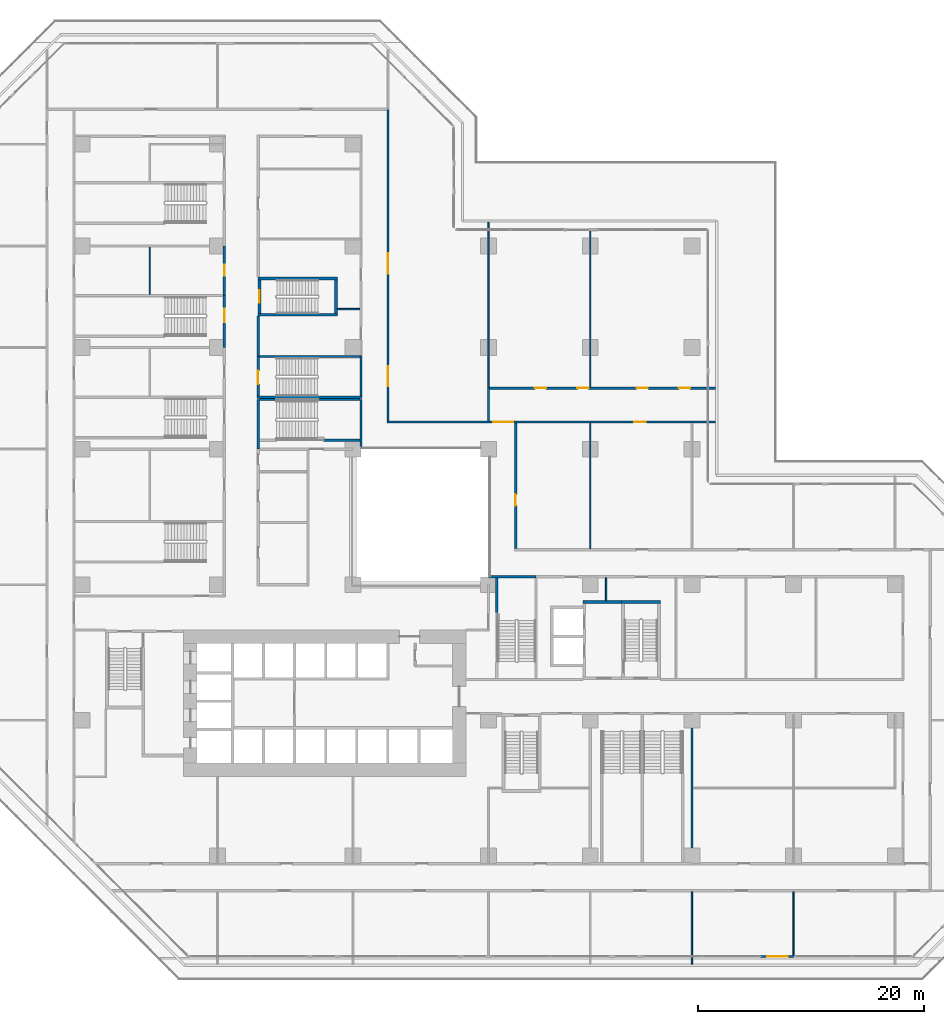
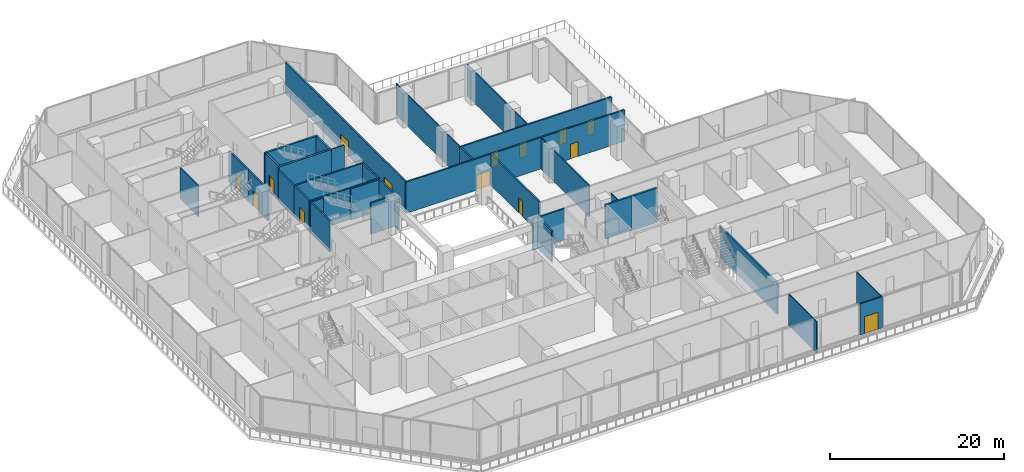
# One storey, part 16 of 26: 35 walls, 14 doors, 14 openings.
"""IFC4 building model written with IfcOpenShell, lengths in metres."""

import ifcopenshell
import ifcopenshell.guid

model = None  # the IFC model being written
_history = None  # IfcOwnerHistory: only IFC2X3 demands one
_inside = {}  # id of a spatial element -> (the spatial element, [elements in it])
_under = {}  # id of a project, library or spatial element -> (it, [spatial elements below it])
_declared = {}  # id of a project -> (the project, [libraries it declares])
_typed = {}  # id of a type object -> (the type object, [elements of that type])
_made_of = {}  # id of a material, layer set ... -> (it, [elements and type objects made of it])


def new_model(schema):
    """Start an empty IFC model of exactly this schema.

    Asked for "IFC4X3", IfcOpenShell would pick the latest addendum, in which some entities
    have other attributes; the version numbers below select the first issue.
    IFC2X3 requires an IfcOwnerHistory on every rooted entity: one is made here for all.
    """
    global model, _history
    if schema == "IFC4X3":
        model = ifcopenshell.file(schema_version=(4, 3, 0, 0))
    else:
        model = ifcopenshell.file(schema=schema)
    _inside.clear()
    _under.clear()
    _declared.clear()
    _typed.clear()
    _made_of.clear()
    _history = None
    if model.schema == "IFC2X3":
        org = make("IfcOrganization", Name="unknown")
        user = make(
            "IfcPersonAndOrganization",
            ThePerson=make("IfcPerson", FamilyName="unknown"),
            TheOrganization=org,
        )
        app = make(
            "IfcApplication",
            ApplicationDeveloper=org,
            Version="unknown",
            ApplicationFullName="unknown",
            ApplicationIdentifier="unknown",
        )
        _history = make(
            "IfcOwnerHistory",
            OwningUser=user,
            OwningApplication=app,
            ChangeAction="ADDED",
            CreationDate=0,
        )
    return model


def make(cls, **values):
    """One entity of the class cls with the attributes given. An attribute that is None is left unset."""
    return model.create_entity(
        cls, **{name: value for name, value in values.items() if value is not None}
    )


def rooted(cls, **values):
    """An entity with a GlobalId (a new one), such as an element, a storey or a relation."""
    return make(cls, GlobalId=ifcopenshell.guid.new(), OwnerHistory=_history, **values)


def si_unit(unit_type, name, prefix=None):
    """IfcSIUnit, for example si_unit("LENGTHUNIT", "METRE", prefix="MILLI")."""
    return make("IfcSIUnit", UnitType=unit_type, Prefix=prefix, Name=name)


def assignment(units):
    """IfcUnitAssignment: the units of a project."""
    return None if units is None else make("IfcUnitAssignment", Units=units)


def point(xyz):
    """IfcCartesianPoint."""
    return None if xyz is None else make("IfcCartesianPoint", Coordinates=xyz)


def direction(xyz):
    """IfcDirection."""
    return None if xyz is None else make("IfcDirection", DirectionRatios=xyz)


def frame(location, z_axis=None, x_axis=None):
    """IfcAxis2Placement3D, a coordinate frame: its origin and axes. An axis left out is left unset."""
    return make(
        "IfcAxis2Placement3D",
        Location=point(location),
        Axis=direction(z_axis),
        RefDirection=direction(x_axis),
    )


def frame_2d(location, x_axis=None):
    """IfcAxis2Placement2D, a coordinate frame in the plane: its origin and x axis."""
    return make(
        "IfcAxis2Placement2D", Location=point(location), RefDirection=direction(x_axis)
    )


def origin():
    """The frame at (0, 0, 0) with its axes left unset."""
    return frame((0.0, 0.0, 0.0))


def place(relative_to, where):
    """IfcLocalPlacement: puts the frame where relative to a parent placement (None: the world)."""
    return make(
        "IfcLocalPlacement", PlacementRelTo=relative_to, RelativePlacement=where
    )


def context(
    kind, dimensions, precision=None, world=None, true_north=None, identifier=None
):
    """IfcGeometricRepresentationContext, for example the 3D "Model" context."""
    return make(
        "IfcGeometricRepresentationContext",
        ContextIdentifier=identifier,
        ContextType=kind,
        CoordinateSpaceDimension=dimensions,
        Precision=precision,
        WorldCoordinateSystem=world,
        TrueNorth=true_north,
    )


def subcontext(parent, identifier, kind, view, scale=None):
    """IfcGeometricRepresentationSubContext, for example "Body" below "Model"."""
    return make(
        "IfcGeometricRepresentationSubContext",
        ContextIdentifier=identifier,
        ContextType=kind,
        ParentContext=parent,
        TargetScale=scale,
        TargetView=view,
    )


def project(units=None, contexts=None):
    """IfcProject with its units and contexts."""
    return rooted(
        "IfcProject",
        Name="project",
        RepresentationContexts=contexts,
        UnitsInContext=assignment(units),
    )


def spatial(cls, under=None, at=None, **own):
    """A site, building, storey or space (cls), placed at a placement, below another one or the project."""
    s = rooted(cls, ObjectPlacement=at, **own)
    if under is not None:
        _under.setdefault(under.id(), (under, []))[1].append(s)
    return s


def profile(cls, at=None, kind="AREA", **sizes):
    """A parametric profile (cls). Its sizes go by their IFC names, for example OverallWidth=200.0."""
    return make(cls, ProfileType=kind, Position=at, **sizes)


def rectangle(**sizes):
    """IfcRectangleProfileDef."""
    return profile("IfcRectangleProfileDef", **sizes)


def extrude(swept, where, along, depth):
    """IfcExtrudedAreaSolid: the profile swept, set in the frame where, extruded along a direction by depth."""
    return make(
        "IfcExtrudedAreaSolid",
        SweptArea=swept,
        Position=where,
        ExtrudedDirection=direction(along),
        Depth=depth,
    )


def shape(context_of_items, identifier, shape_type, items):
    """IfcShapeRepresentation: the items that make up one representation, for example the "Body"."""
    return make(
        "IfcShapeRepresentation",
        ContextOfItems=context_of_items,
        RepresentationIdentifier=identifier,
        RepresentationType=shape_type,
        Items=items,
    )


def material(Name=None, Category=None):
    """IfcMaterial."""
    return make("IfcMaterial", Name=Name, Category=Category)


def layer(
    of_material, thickness, ventilated=None, Name=None, Category=None, Priority=None
):
    """IfcMaterialLayer: one layer of a wall or slab, of a material (None: an air gap)."""
    return make(
        "IfcMaterialLayer",
        Material=of_material,
        LayerThickness=thickness,
        IsVentilated=ventilated,
        Name=Name,
        Category=Category,
        Priority=Priority,
    )


def layer_set(layers, Name=None):
    """IfcMaterialLayerSet."""
    return make("IfcMaterialLayerSet", MaterialLayers=layers, LayerSetName=Name)


def made_of(thing, what):
    """Note that an element or type object is made of a material, layer set ...; save() writes the relation."""
    if what is not None:
        _made_of.setdefault(what.id(), (what, []))[1].append(thing)
    return thing


def type_object(cls, material=None, **own):
    """A type object (cls), such as IfcWallType, which elements share."""
    return made_of(rooted(cls, **own), material)


def element(
    cls,
    number,
    at=None,
    inside=None,
    cuts=None,
    type_object=None,
    material=None,
    context=None,
    identifier="Body",
    shape_type=None,
    held_by="IfcProductDefinitionShape",
    body=None,
    shapes=None,
    **own,
):
    """One element of the class cls, such as IfcWall. Its Tag is "e" and its number.

    at: its placement. inside: the storey or other place that contains it. cuts: it is an
    opening in that element (IfcRelVoidsElement). A single representation is given by context,
    identifier, shape_type and body (its items); several are given by shapes. held_by: the class
    of the entity that holds the representations. save() writes the other relations.
    """
    e = rooted(cls, Tag="e%d" % number, ObjectPlacement=at, **own)
    if body is not None:
        shapes = [shape(context, identifier, shape_type, body)]
    if shapes is not None:
        e.Representation = make(held_by, Representations=shapes)
    if inside is not None:
        _inside.setdefault(inside.id(), (inside, []))[1].append(e)
    if cuts is not None:
        rooted(
            "IfcRelVoidsElement", RelatingBuildingElement=cuts, RelatedOpeningElement=e
        )
    if type_object is not None:
        _typed.setdefault(type_object.id(), (type_object, []))[1].append(e)
    return made_of(e, material)


def fill(opening, filler):
    """IfcRelFillsElement: the door or window that sits in an opening."""
    return rooted(
        "IfcRelFillsElement",
        RelatingOpeningElement=opening,
        RelatedBuildingElement=filler,
    )


def aggregate(whole, parts):
    """IfcRelAggregates: a whole, such as a stair, and the parts it consists of."""
    return rooted("IfcRelAggregates", RelatingObject=whole, RelatedObjects=parts)


def save(model, path):
    """Write the relations noted so far, then the file.

    IfcRelAggregates (storeys below a building ...), IfcRelContainedInSpatialStructure (elements
    in a storey), IfcRelDefinesByType, IfcRelAssociatesMaterial and IfcRelDeclares: one each for
    every whole, place, type object, material and project.
    """
    for whole, parts in _under.values():
        aggregate(whole, parts)
    for where, things in _inside.values():
        rooted(
            "IfcRelContainedInSpatialStructure",
            RelatedElements=things,
            RelatingStructure=where,
        )
    for kind, things in _typed.values():
        rooted("IfcRelDefinesByType", RelatedObjects=things, RelatingType=kind)
    for what, things in _made_of.values():
        rooted("IfcRelAssociatesMaterial", RelatedObjects=things, RelatingMaterial=what)
    for by, libraries in _declared.values():
        rooted("IfcRelDeclares", RelatingContext=by, RelatedDefinitions=libraries)
    model.write(path)


model = new_model("IFC4")

# Units and contexts
model_context = context("Model", 3, precision=1e-05, world=origin(), true_north=direction((0.0, 1.0)))
body_context = subcontext(model_context, "Body", "Model", "MODEL_VIEW")
ifc_project = project(units=[si_unit("LENGTHUNIT", "METRE"), si_unit("AREAUNIT", "SQUARE_METRE"), si_unit("VOLUMEUNIT", "CUBIC_METRE"), si_unit("PLANEANGLEUNIT", "RADIAN"), si_unit("MASSUNIT", "GRAM", prefix="KILO")], contexts=[model_context])

# Site, building, storey
site_placement = place(None, origin())
site = spatial("IfcSite", under=ifc_project, at=site_placement, CompositionType="ELEMENT")
building_placement = place(site_placement, origin())
building = spatial("IfcBuilding", under=site, at=building_placement, Name="Chenar Terraces", CompositionType="ELEMENT")
storey_placement = place(building_placement, frame((0.0, 0.0, 16.800048828125)))
storey = spatial("IfcBuildingStorey", under=building, at=storey_placement, Name="L03", CompositionType="ELEMENT", Elevation=16.800048828125)

# Walls
ifc_material_1 = material(Name="Gypsum board on steel studs with mineral wool", Category="steel")
ifc_layer_1 = layer(ifc_material_1, 0.125)
ifc_layer_set_1 = layer_set([ifc_layer_1], Name="Gypsum board on steel studs with mineral wool")
wall_type_1 = type_object("IfcWallType", Name="Acoustic partition 125", PredefinedType="PARTITIONING", material=ifc_layer_set_1)
wall_1_placement = place(storey_placement, frame((6.0, 49.699951171875, 0.0), z_axis=(0.0, 0.0, 1.0), x_axis=(0.0, 1.0, 0.0)))
element("IfcWall", 1, at=wall_1_placement, inside=storey, type_object=wall_type_1, Name="Partition L03-036", PredefinedType="PARTITIONING", context=body_context, shape_type="SweptSolid", body=[
    extrude(rectangle(XDim=4.199951171875, YDim=0.125, at=frame_2d((2.10009765625, 0.0))), origin(), (0.0, 0.0, 1.0), 4.39990234375),
])
wall_2_placement = place(storey_placement, frame((22.60009765625, 48.39990234375, 0.0), z_axis=(0.0, 0.0, 1.0), x_axis=(1.0, 0.0, 0.0)))
element("IfcWall", 2, at=wall_2_placement, inside=storey, type_object=wall_type_1, Name="Partition L03-064", PredefinedType="PARTITIONING", context=body_context, shape_type="SweptSolid", body=[
    extrude(rectangle(XDim=2.0, YDim=0.125, at=frame_2d((1.0, 0.0))), origin(), (0.0, 0.0, 1.0), 4.39990234375),
])
wall_3_placement = place(storey_placement, frame((36.0, 41.39990234375, 0.0), z_axis=(0.0, 0.0, 1.0), x_axis=(0.0, 1.0, 0.0)))
element("IfcWall", 3, at=wall_3_placement, inside=storey, type_object=wall_type_1, Name="Partition L03-081", PredefinedType="PARTITIONING", context=body_context, shape_type="SweptSolid", body=[
    extrude(rectangle(XDim=14.7001953125, YDim=0.125, at=frame_2d((7.35009765625, 0.0))), origin(), (0.0, 0.0, 1.0), 4.39990234375),
])
wall_4_placement = place(storey_placement, frame((45.0, 27.199951171875, 0.0), z_axis=(0.0, 0.0, 1.0), x_axis=(0.0, 1.0, 0.0)))
element("IfcWall", 4, at=wall_4_placement, inside=storey, type_object=wall_type_1, Name="Partition L03-095", PredefinedType="PARTITIONING", context=body_context, shape_type="SweptSolid", body=[
    extrude(rectangle(XDim=11.10009765625, YDim=0.125, at=frame_2d((5.550048828125, 0.0))), origin(), (0.0, 0.0, 1.0), 4.39990234375),
])
wall_5_placement = place(storey_placement, frame((45.0, 41.5, 0.0), z_axis=(0.0, 0.0, 1.0), x_axis=(0.0, 1.0, 0.0)))
element("IfcWall", 5, at=wall_5_placement, inside=storey, type_object=wall_type_1, Name="Partition L03-096", PredefinedType="PARTITIONING", context=body_context, shape_type="SweptSolid", body=[
    extrude(rectangle(XDim=13.85107421875, YDim=0.125, at=frame_2d((6.925537109375, 0.0))), origin(), (0.0, 0.0, 1.0), 4.39990234375),
])
wall_6_placement = place(storey_placement, frame((46.39990234375, 22.60009765625, 0.0), z_axis=(0.0, 0.0, 1.0), x_axis=(0.0, 1.0, 0.0)))
element("IfcWall", 6, at=wall_6_placement, inside=storey, type_object=wall_type_1, Name="Partition L03-097", PredefinedType="PARTITIONING", context=body_context, shape_type="SweptSolid", body=[
    extrude(rectangle(XDim=2.0, YDim=0.125, at=frame_2d((1.0, 0.0))), origin(), (0.0, 0.0, 1.0), 4.39990234375),
])
wall_7_placement = place(storey_placement, frame((54.0, -9.60009765625, 0.0), z_axis=(0.0, 0.0, 1.0), x_axis=(0.0, 1.0, 0.0)))
element("IfcWall", 7, at=wall_7_placement, inside=storey, type_object=wall_type_1, Name="Partition L03-101", PredefinedType="PARTITIONING", context=body_context, shape_type="SweptSolid", body=[
    extrude(rectangle(XDim=6.400146484375, YDim=0.125, at=frame_2d((3.2001953125, 0.0))), origin(), (0.0, 0.0, 1.0), 4.39990234375),
])
wall_8_placement = place(storey_placement, frame((63.0, -8.85107421875, 0.0), z_axis=(0.0, 0.0, 1.0), x_axis=(0.0, 1.0, 0.0)))
element("IfcWall", 8, at=wall_8_placement, inside=storey, type_object=wall_type_1, Name="Partition L03-108", PredefinedType="PARTITIONING", context=body_context, shape_type="SweptSolid", body=[
    extrude(rectangle(XDim=5.651123046875, YDim=0.125, at=frame_2d((2.82568359375, 0.0))), origin(), (0.0, 0.0, 1.0), 4.39990234375),
])
ifc_material_2 = material(Name="Concrete C70/85", Category="concrete")
ifc_layer_2 = layer(ifc_material_2, 0.25)
ifc_layer_set_2 = layer_set([ifc_layer_2], Name="Concrete C70/85")
wall_type_2 = type_object("IfcWallType", Name="Core wall 250 Concrete C70/85", PredefinedType="SHEAR", material=ifc_layer_set_2)
wall_9_placement = place(storey_placement, frame((47.77490234375, 22.47509765625, 0.0), z_axis=(0.0, 0.0, 1.0), x_axis=(1.0, 0.0, 0.0)))
element("IfcWall", 9, at=wall_9_placement, inside=storey, type_object=wall_type_2, Name="Core wall ST3_N L03", PredefinedType="SHEAR", context=body_context, shape_type="SweptSolid", body=[
    extrude(rectangle(XDim=3.4501953125, YDim=0.25, at=frame_2d((1.72509765625, 0.0))), origin(), (0.0, 0.0, 1.0), 4.800048828125),
])
for number, where, z_axis, x_axis, name in (
    (10, (15.60009765625, 47.89990234375, 0.0), (0.0, 0.0, 1.0), (1.0, 0.0, 0.0), "Core wall ST4_S L03"),
    (11, (15.60009765625, 51.10009765625, 0.0), (0.0, 0.0, 1.0), (1.0, 0.0, 0.0), "Core wall ST4_N L03"),
):
    element("IfcWall", number, at=place(storey_placement, frame(where, z_axis=z_axis, x_axis=x_axis)), inside=storey, type_object=wall_type_2, Name=name, PredefinedType="SHEAR", context=body_context, shape_type="SweptSolid", body=[
        extrude(rectangle(XDim=7.0, YDim=0.25, at=frame_2d((3.5, 0.0))), origin(), (0.0, 0.0, 1.0), 4.800048828125),
    ])

# Wall, opening, door
wall_10_placement = place(storey_placement, frame((15.72509765625, 48.02490234375, 0.0), z_axis=(0.0, 0.0, 1.0), x_axis=(0.0, 1.0, 0.0)))
wall_10 = element("IfcWall", 12, at=wall_10_placement, inside=storey, type_object=wall_type_2, Name="Core wall ST4_W L03", PredefinedType="SHEAR", context=body_context, shape_type="SweptSolid", body=[
    extrude(rectangle(XDim=2.9501953125, YDim=0.25, at=frame_2d((1.47509765625, 0.0))), origin(), (0.0, 0.0, 1.0), 4.800048828125),
])
opening_1_placement = place(wall_10_placement, frame((0.925048828125, 0.0, 0.0)))
opening_1 = element("IfcOpeningElement", 13, at=opening_1_placement, cuts=wall_10, Name="Opening DL03-C9", PredefinedType="OPENING", context=body_context, shape_type="SweptSolid", body=[
    extrude(rectangle(XDim=1.10009765625, YDim=2.199951171875, at=frame_2d((0.550048828125, 1.10009765625))), frame((0.0, 0.135009765625, 0.0), z_axis=(0.0, -1.0, 0.0), x_axis=(1.0, 0.0, 0.0)), (0.0, 0.0, 1.0), 0.27001953125),
])
ifc_material_3 = material(Name="Steel-framed fire-resisting door leaf", Category="steel")
door_type_1 = type_object("IfcDoorType", Name="Stair fire door FD60 1100 x 2200", OperationType="SINGLE_SWING_LEFT", PredefinedType="DOOR", material=ifc_material_3)
door_1_placement = place(opening_1_placement, frame((1.10009765625, 0.0, 0.0), z_axis=(0.0, 0.0, 1.0), x_axis=(-1.0, 0.0, 0.0)))
door_1 = element("IfcDoor", 14, at=door_1_placement, inside=storey, type_object=door_type_1, Name="Stair door DL03-C9", OperationType="SINGLE_SWING_RIGHT", OverallHeight=2.199951171875, OverallWidth=1.10009765625, PredefinedType="DOOR", context=body_context, shape_type="SweptSolid", body=[
    extrude(rectangle(XDim=1.10009765625, YDim=2.199951171875, at=frame_2d((0.550048828125, 1.10009765625))), frame((0.0, 0.02490234375, 0.0), z_axis=(0.0, -1.0, 0.0), x_axis=(1.0, 0.0, 0.0)), (0.0, 0.0, 1.0), 0.050048828125),
])
fill(opening_1, door_1)

# Walls
wall_11_placement = place(storey_placement, frame((22.47509765625, 48.02490234375, 0.0), z_axis=(0.0, 0.0, 1.0), x_axis=(0.0, 1.0, 0.0)))
element("IfcWall", 15, at=wall_11_placement, inside=storey, type_object=wall_type_2, Name="Core wall ST4_E L03", PredefinedType="SHEAR", context=body_context, shape_type="SweptSolid", body=[
    extrude(rectangle(XDim=2.9501953125, YDim=0.25, at=frame_2d((1.47509765625, 0.0))), origin(), (0.0, 0.0, 1.0), 4.800048828125),
])
wall_12_placement = place(storey_placement, frame((44.35009765625, 22.47509765625, 0.0), z_axis=(0.0, 0.0, 1.0), x_axis=(1.0, 0.0, 0.0)))
element("IfcWall", 16, at=wall_12_placement, inside=storey, type_object=wall_type_2, Name="Core wall F3_LN L03", PredefinedType="SHEAR", context=body_context, shape_type="SweptSolid", body=[
    extrude(rectangle(XDim=3.4248046875, YDim=0.25, at=frame_2d((1.71240234375, 0.0))), origin(), (0.0, 0.0, 1.0), 4.800048828125),
])

# Wall, opening, door
ifc_material_4 = material(Name="Gypsum board on steel studs with fire boards", Category="steel")
ifc_layer_3 = layer(ifc_material_4, 0.199951171875)
ifc_layer_set_3 = layer_set([ifc_layer_3], Name="Gypsum board on steel studs with fire boards")
wall_type_3 = type_object("IfcWallType", Name="Corridor wall 200", PredefinedType="PARTITIONING", material=ifc_layer_set_3)
wall_13_placement = place(storey_placement, frame((12.60009765625, 49.60009765625, 0.0), z_axis=(0.0, 0.0, 1.0), x_axis=(0.0, 1.0, 0.0)))
wall_13 = element("IfcWall", 17, at=wall_13_placement, inside=storey, type_object=wall_type_3, Name="Partition L03-046", PredefinedType="PARTITIONING", context=body_context, shape_type="SweptSolid", body=[
    extrude(rectangle(XDim=4.39990234375, YDim=0.199951171875, at=frame_2d((2.199951171875, 0.0))), origin(), (0.0, 0.0, 1.0), 4.39990234375),
])
opening_2_placement = place(wall_13_placement, frame((1.75, 0.0, 0.0)))
opening_2 = element("IfcOpeningElement", 18, at=opening_2_placement, cuts=wall_13, Name="Opening DL03-14", PredefinedType="OPENING", context=body_context, shape_type="SweptSolid", body=[
    extrude(rectangle(XDim=1.0, YDim=2.10009765625, at=frame_2d((0.5, 1.050048828125))), frame((0.0, 0.10986328125, 0.0), z_axis=(0.0, -1.0, 0.0), x_axis=(1.0, 0.0, 0.0)), (0.0, 0.0, 1.0), 0.219970703125),
])
ifc_material_5 = material(Name="Steel-framed fire-resisting door leaf", Category="steel")
door_type_2 = type_object("IfcDoorType", Name="Fire door FD60 1000 x 2100", OperationType="SINGLE_SWING_LEFT", PredefinedType="DOOR", material=ifc_material_5)
door_2_placement = place(opening_2_placement, origin())
door_2 = element("IfcDoor", 19, at=door_2_placement, inside=storey, type_object=door_type_2, Name="Door DL03-14", OperationType="SINGLE_SWING_RIGHT", OverallHeight=2.10009765625, OverallWidth=1.0, PredefinedType="DOOR", context=body_context, shape_type="SweptSolid", body=[
    extrude(rectangle(XDim=1.0, YDim=2.10009765625, at=frame_2d((0.5, 1.050048828125))), frame((0.0, 0.02490234375, 0.0), z_axis=(0.0, -1.0, 0.0), x_axis=(1.0, 0.0, 0.0)), (0.0, 0.0, 1.0), 0.050048828125),
])
fill(opening_2, door_2)

# Wall
wall_14_placement = place(storey_placement, frame((15.60009765625, 44.199951171875, 0.0), z_axis=(0.0, 0.0, 1.0), x_axis=(0.0, 1.0, 0.0)))
element("IfcWall", 20, at=wall_14_placement, inside=storey, type_object=wall_type_3, Name="Partition L03-053", PredefinedType="PARTITIONING", context=body_context, shape_type="SweptSolid", body=[
    extrude(rectangle(XDim=3.574951171875, YDim=0.199951171875, at=frame_2d((1.78759765625, 0.0))), origin(), (0.0, 0.0, 1.0), 4.39990234375),
])

# Wall, openings, doors
wall_15_placement = place(storey_placement, frame((27.0, 38.39990234375, 0.0), z_axis=(0.0, 0.0, 1.0), x_axis=(1.0, 0.0, 0.0)))
wall_15 = element("IfcWall", 21, at=wall_15_placement, inside=storey, type_object=wall_type_3, Name="Partition L03-070", PredefinedType="PARTITIONING", context=body_context, shape_type="SweptSolid", body=[
    extrude(rectangle(XDim=29.10009765625, YDim=0.199951171875, at=frame_2d((14.550048828125, 0.0))), origin(), (0.0, 0.0, 1.0), 4.39990234375),
])
opening_3_placement = place(wall_15_placement, frame((21.89990234375, 0.0, 0.0)))
opening_3 = element("IfcOpeningElement", 22, at=opening_3_placement, cuts=wall_15, Name="Opening DL03-28", PredefinedType="OPENING", context=body_context, shape_type="SweptSolid", body=[
    extrude(rectangle(XDim=1.0, YDim=2.10009765625, at=frame_2d((0.5, 1.050048828125))), frame((0.0, 0.10986328125, 0.0), z_axis=(0.0, -1.0, 0.0), x_axis=(1.0, 0.0, 0.0)), (0.0, 0.0, 1.0), 0.219970703125),
])
opening_4_placement = place(wall_15_placement, frame((9.39990234375, 0.0, 0.0)))
opening_4 = element("IfcOpeningElement", 23, at=opening_4_placement, cuts=wall_15, Name="Opening DL03-38", PredefinedType="OPENING", context=body_context, shape_type="SweptSolid", body=[
    extrude(rectangle(XDim=1.800048828125, YDim=2.10009765625, at=frame_2d((0.89990234375, 1.050048828125))), frame((0.0, 0.10986328125, 0.0), z_axis=(0.0, -1.0, 0.0), x_axis=(1.0, 0.0, 0.0)), (0.0, 0.0, 1.0), 0.219970703125),
])
door_3_placement = place(opening_3_placement, frame((1.0, 0.0, 0.0), z_axis=(0.0, 0.0, 1.0), x_axis=(-1.0, 0.0, 0.0)))
door_3 = element("IfcDoor", 24, at=door_3_placement, inside=storey, type_object=door_type_2, Name="Door DL03-28", OperationType="SINGLE_SWING_RIGHT", OverallHeight=2.10009765625, OverallWidth=1.0, PredefinedType="DOOR", context=body_context, shape_type="SweptSolid", body=[
    extrude(rectangle(XDim=1.0, YDim=2.10009765625, at=frame_2d((0.5, 1.050048828125))), frame((0.0, 0.02490234375, 0.0), z_axis=(0.0, -1.0, 0.0), x_axis=(1.0, 0.0, 0.0)), (0.0, 0.0, 1.0), 0.050048828125),
])
fill(opening_3, door_3)
ifc_material_6 = material(Name="Steel-framed fire-resisting door leaf", Category="steel")
door_type_3 = type_object("IfcDoorType", Name="Fire double door FD60 1800 x 2100", OperationType="DOUBLE_DOOR_SINGLE_SWING", PredefinedType="DOOR", material=ifc_material_6)
door_4_placement = place(opening_4_placement, origin())
door_4 = element("IfcDoor", 25, at=door_4_placement, inside=storey, type_object=door_type_3, Name="Door DL03-38", OperationType="DOUBLE_DOOR_SINGLE_SWING", OverallHeight=2.10009765625, OverallWidth=1.800048828125, PredefinedType="DOOR", context=body_context, shape_type="SweptSolid", body=[
    extrude(rectangle(XDim=1.800048828125, YDim=2.10009765625, at=frame_2d((0.89990234375, 1.050048828125))), frame((0.0, 0.02490234375, 0.0), z_axis=(0.0, -1.0, 0.0), x_axis=(1.0, 0.0, 0.0)), (0.0, 0.0, 1.0), 0.050048828125),
])
fill(opening_4, door_4)

wall_16_placement = place(storey_placement, frame((27.10009765625, 38.5, 0.0), z_axis=(0.0, 0.0, 1.0), x_axis=(0.0, 1.0, 0.0)))
wall_16 = element("IfcWall", 26, at=wall_16_placement, inside=storey, type_object=wall_type_3, Name="Partition L03-071", PredefinedType="PARTITIONING", context=body_context, shape_type="SweptSolid", body=[
    extrude(rectangle(XDim=27.60009765625, YDim=0.199951171875, at=frame_2d((13.800048828125, 0.0))), origin(), (0.0, 0.0, 1.0), 4.39990234375),
])
opening_5_placement = place(wall_16_placement, frame((13.050048828125, 0.0, 0.0)))
opening_5 = element("IfcOpeningElement", 27, at=opening_5_placement, cuts=wall_16, Name="Opening DL03-16", PredefinedType="OPENING", context=body_context, shape_type="SweptSolid", body=[
    extrude(rectangle(XDim=1.800048828125, YDim=2.10009765625, at=frame_2d((0.89990234375, 1.050048828125))), frame((0.0, 0.10986328125, 0.0), z_axis=(0.0, -1.0, 0.0), x_axis=(1.0, 0.0, 0.0)), (0.0, 0.0, 1.0), 0.219970703125),
])
opening_6_placement = place(wall_16_placement, frame((3.050048828125, 0.0, 0.0)))
opening_6 = element("IfcOpeningElement", 28, at=opening_6_placement, cuts=wall_16, Name="Opening DL03-17", PredefinedType="OPENING", context=body_context, shape_type="SweptSolid", body=[
    extrude(rectangle(XDim=1.800048828125, YDim=2.10009765625, at=frame_2d((0.89990234375, 1.050048828125))), frame((0.0, 0.10986328125, 0.0), z_axis=(0.0, -1.0, 0.0), x_axis=(1.0, 0.0, 0.0)), (0.0, 0.0, 1.0), 0.219970703125),
])
door_5_placement = place(opening_5_placement, origin())
door_5 = element("IfcDoor", 29, at=door_5_placement, inside=storey, type_object=door_type_3, Name="Door DL03-16", OperationType="DOUBLE_DOOR_SINGLE_SWING", OverallHeight=2.10009765625, OverallWidth=1.800048828125, PredefinedType="DOOR", context=body_context, shape_type="SweptSolid", body=[
    extrude(rectangle(XDim=1.800048828125, YDim=2.10009765625, at=frame_2d((0.89990234375, 1.050048828125))), frame((0.0, 0.02490234375, 0.0), z_axis=(0.0, -1.0, 0.0), x_axis=(1.0, 0.0, 0.0)), (0.0, 0.0, 1.0), 0.050048828125),
])
fill(opening_5, door_5)
door_6_placement = place(opening_6_placement, origin())
door_6 = element("IfcDoor", 30, at=door_6_placement, inside=storey, type_object=door_type_3, Name="Door DL03-17", OperationType="DOUBLE_DOOR_SINGLE_SWING", OverallHeight=2.10009765625, OverallWidth=1.800048828125, PredefinedType="DOOR", context=body_context, shape_type="SweptSolid", body=[
    extrude(rectangle(XDim=1.800048828125, YDim=2.10009765625, at=frame_2d((0.89990234375, 1.050048828125))), frame((0.0, 0.02490234375, 0.0), z_axis=(0.0, -1.0, 0.0), x_axis=(1.0, 0.0, 0.0)), (0.0, 0.0, 1.0), 0.050048828125),
])
fill(opening_6, door_6)

# Wall
wall_17_placement = place(storey_placement, frame((36.0, 38.5, 0.0), z_axis=(0.0, 0.0, 1.0), x_axis=(0.0, 1.0, 0.0)))
element("IfcWall", 31, at=wall_17_placement, inside=storey, type_object=wall_type_3, Name="Partition L03-080", PredefinedType="PARTITIONING", context=body_context, shape_type="SweptSolid", body=[
    extrude(rectangle(XDim=2.89990234375, YDim=0.199951171875, at=frame_2d((1.449951171875, 0.0))), origin(), (0.0, 0.0, 1.0), 4.39990234375),
])

# Wall, openings, doors
wall_18_placement = place(storey_placement, frame((36.10009765625, 41.39990234375, 0.0), z_axis=(0.0, 0.0, 1.0), x_axis=(1.0, 0.0, 0.0)))
wall_18 = element("IfcWall", 32, at=wall_18_placement, inside=storey, type_object=wall_type_3, Name="Partition L03-083", PredefinedType="PARTITIONING", context=body_context, shape_type="SweptSolid", body=[
    extrude(rectangle(XDim=20.0, YDim=0.199951171875, at=frame_2d((10.0, 0.0))), origin(), (0.0, 0.0, 1.0), 4.39990234375),
])
opening_7_placement = place(wall_18_placement, frame((4.0, 0.0, 0.0)))
opening_7 = element("IfcOpeningElement", 33, at=opening_7_placement, cuts=wall_18, Name="Opening DL03-18", PredefinedType="OPENING", context=body_context, shape_type="SweptSolid", body=[
    extrude(rectangle(XDim=1.0, YDim=2.10009765625, at=frame_2d((0.5, 1.050048828125))), frame((0.0, 0.10986328125, 0.0), z_axis=(0.0, -1.0, 0.0), x_axis=(1.0, 0.0, 0.0)), (0.0, 0.0, 1.0), 0.219970703125),
])
opening_8_placement = place(wall_18_placement, frame((7.75, 0.0, 0.0)))
opening_8 = element("IfcOpeningElement", 34, at=opening_8_placement, cuts=wall_18, Name="Opening DL03-19", PredefinedType="OPENING", context=body_context, shape_type="SweptSolid", body=[
    extrude(rectangle(XDim=1.0, YDim=2.10009765625, at=frame_2d((0.5, 1.050048828125))), frame((0.0, 0.10986328125, 0.0), z_axis=(0.0, -1.0, 0.0), x_axis=(1.0, 0.0, 0.0)), (0.0, 0.0, 1.0), 0.219970703125),
])
opening_9_placement = place(wall_18_placement, frame((13.0, 0.0, 0.0)))
opening_9 = element("IfcOpeningElement", 35, at=opening_9_placement, cuts=wall_18, Name="Opening DL03-20", PredefinedType="OPENING", context=body_context, shape_type="SweptSolid", body=[
    extrude(rectangle(XDim=1.0, YDim=2.10009765625, at=frame_2d((0.5, 1.050048828125))), frame((0.0, 0.10986328125, 0.0), z_axis=(0.0, -1.0, 0.0), x_axis=(1.0, 0.0, 0.0)), (0.0, 0.0, 1.0), 0.219970703125),
])
opening_10_placement = place(wall_18_placement, frame((16.75, 0.0, 0.0)))
opening_10 = element("IfcOpeningElement", 36, at=opening_10_placement, cuts=wall_18, Name="Opening DL03-21", PredefinedType="OPENING", context=body_context, shape_type="SweptSolid", body=[
    extrude(rectangle(XDim=1.0, YDim=2.10009765625, at=frame_2d((0.5, 1.050048828125))), frame((0.0, 0.10986328125, 0.0), z_axis=(0.0, -1.0, 0.0), x_axis=(1.0, 0.0, 0.0)), (0.0, 0.0, 1.0), 0.219970703125),
])
door_7_placement = place(opening_7_placement, frame((1.0, 0.0, 0.0), z_axis=(0.0, 0.0, 1.0), x_axis=(-1.0, 0.0, 0.0)))
door_7 = element("IfcDoor", 37, at=door_7_placement, inside=storey, type_object=door_type_2, Name="Door DL03-18", OperationType="SINGLE_SWING_LEFT", OverallHeight=2.10009765625, OverallWidth=1.0, PredefinedType="DOOR", context=body_context, shape_type="SweptSolid", body=[
    extrude(rectangle(XDim=1.0, YDim=2.10009765625, at=frame_2d((0.5, 1.050048828125))), frame((0.0, 0.02490234375, 0.0), z_axis=(0.0, -1.0, 0.0), x_axis=(1.0, 0.0, 0.0)), (0.0, 0.0, 1.0), 0.050048828125),
])
fill(opening_7, door_7)
door_8_placement = place(opening_8_placement, frame((1.0, 0.0, 0.0), z_axis=(0.0, 0.0, 1.0), x_axis=(-1.0, 0.0, 0.0)))
door_8 = element("IfcDoor", 38, at=door_8_placement, inside=storey, type_object=door_type_2, Name="Door DL03-19", OperationType="SINGLE_SWING_LEFT", OverallHeight=2.10009765625, OverallWidth=1.0, PredefinedType="DOOR", context=body_context, shape_type="SweptSolid", body=[
    extrude(rectangle(XDim=1.0, YDim=2.10009765625, at=frame_2d((0.5, 1.050048828125))), frame((0.0, 0.02490234375, 0.0), z_axis=(0.0, -1.0, 0.0), x_axis=(1.0, 0.0, 0.0)), (0.0, 0.0, 1.0), 0.050048828125),
])
fill(opening_8, door_8)
door_9_placement = place(opening_9_placement, origin())
door_9 = element("IfcDoor", 39, at=door_9_placement, inside=storey, type_object=door_type_2, Name="Door DL03-20", OperationType="SINGLE_SWING_RIGHT", OverallHeight=2.10009765625, OverallWidth=1.0, PredefinedType="DOOR", context=body_context, shape_type="SweptSolid", body=[
    extrude(rectangle(XDim=1.0, YDim=2.10009765625, at=frame_2d((0.5, 1.050048828125))), frame((0.0, 0.02490234375, 0.0), z_axis=(0.0, -1.0, 0.0), x_axis=(1.0, 0.0, 0.0)), (0.0, 0.0, 1.0), 0.050048828125),
])
fill(opening_9, door_9)
door_10_placement = place(opening_10_placement, origin())
door_10 = element("IfcDoor", 40, at=door_10_placement, inside=storey, type_object=door_type_2, Name="Door DL03-21", OperationType="SINGLE_SWING_RIGHT", OverallHeight=2.10009765625, OverallWidth=1.0, PredefinedType="DOOR", context=body_context, shape_type="SweptSolid", body=[
    extrude(rectangle(XDim=1.0, YDim=2.10009765625, at=frame_2d((0.5, 1.050048828125))), frame((0.0, 0.02490234375, 0.0), z_axis=(0.0, -1.0, 0.0), x_axis=(1.0, 0.0, 0.0)), (0.0, 0.0, 1.0), 0.050048828125),
])
fill(opening_10, door_10)

# Wall, opening, door
wall_19_placement = place(storey_placement, frame((38.39990234375, 27.199951171875, 0.0), z_axis=(0.0, 0.0, 1.0), x_axis=(0.0, 1.0, 0.0)))
wall_19 = element("IfcWall", 41, at=wall_19_placement, inside=storey, type_object=wall_type_3, Name="Partition L03-085", PredefinedType="PARTITIONING", context=body_context, shape_type="SweptSolid", body=[
    extrude(rectangle(XDim=11.10009765625, YDim=0.199951171875, at=frame_2d((5.550048828125, 0.0))), origin(), (0.0, 0.0, 1.0), 4.39990234375),
])
opening_11_placement = place(wall_19_placement, frame((3.800048828125, 0.0, 0.0)))
opening_11 = element("IfcOpeningElement", 42, at=opening_11_placement, cuts=wall_19, Name="Opening DL03-26", PredefinedType="OPENING", context=body_context, shape_type="SweptSolid", body=[
    extrude(rectangle(XDim=1.0, YDim=2.10009765625, at=frame_2d((0.5, 1.050048828125))), frame((0.0, 0.10986328125, 0.0), z_axis=(0.0, -1.0, 0.0), x_axis=(1.0, 0.0, 0.0)), (0.0, 0.0, 1.0), 0.219970703125),
])
door_11_placement = place(opening_11_placement, frame((1.0, 0.0, 0.0), z_axis=(0.0, 0.0, 1.0), x_axis=(-1.0, 0.0, 0.0)))
door_11 = element("IfcDoor", 43, at=door_11_placement, inside=storey, type_object=door_type_2, Name="Door DL03-26", OperationType="SINGLE_SWING_LEFT", OverallHeight=2.10009765625, OverallWidth=1.0, PredefinedType="DOOR", context=body_context, shape_type="SweptSolid", body=[
    extrude(rectangle(XDim=1.0, YDim=2.10009765625, at=frame_2d((0.5, 1.050048828125))), frame((0.0, 0.02490234375, 0.0), z_axis=(0.0, -1.0, 0.0), x_axis=(1.0, 0.0, 0.0)), (0.0, 0.0, 1.0), 0.050048828125),
])
fill(opening_11, door_11)

ifc_material_7 = material(Name="Aluminium framed glazing", Category="aluminium")
ifc_layer_4 = layer(ifc_material_7, 0.14990234375)
ifc_layer_set_4 = layer_set([ifc_layer_4], Name="Aluminium framed glazing")
wall_type_4 = type_object("IfcWallType", Name="Podium glazed wall 150", PredefinedType="SOLIDWALL", material=ifc_layer_set_4)
wall_20_placement = place(storey_placement, frame((60.073974609375, -8.925048828125, 0.0), z_axis=(0.0, 0.0, 1.0), x_axis=(1.0, 0.0, 0.0)))
wall_20 = element("IfcWall", 44, at=wall_20_placement, inside=storey, type_object=wall_type_4, Name="Podium glazed wall", PredefinedType="SOLIDWALL", context=body_context, shape_type="SweptSolid", body=[
    extrude(rectangle(XDim=3.0, YDim=0.14990234375, at=frame_2d((1.5, 0.0))), origin(), (0.0, 0.0, 1.0), 4.39990234375),
])
opening_12_placement = place(wall_20_placement, frame((0.60009765625, 0.0, 0.0)))
opening_12 = element("IfcOpeningElement", 45, at=opening_12_placement, cuts=wall_20, Name="Opening DL03-T4", PredefinedType="OPENING", context=body_context, shape_type="SweptSolid", body=[
    extrude(rectangle(XDim=1.800048828125, YDim=2.39990234375, at=frame_2d((0.89990234375, 1.199951171875))), frame((0.0, 0.0849609375, 0.0), z_axis=(0.0, -1.0, 0.0), x_axis=(1.0, 0.0, 0.0)), (0.0, 0.0, 1.0), 0.169921875),
])
ifc_material_8 = material(Name="Low emissivity double glazing, aluminium frame", Category="aluminium")
door_type_4 = type_object("IfcDoorType", Name="Terrace glazed double door 1800 x 2400", OperationType="DOUBLE_DOOR_SINGLE_SWING", PredefinedType="DOOR", material=ifc_material_8)
door_12_placement = place(opening_12_placement, origin())
door_12 = element("IfcDoor", 46, at=door_12_placement, inside=storey, type_object=door_type_4, Name="Terrace glazed door", OperationType="DOUBLE_DOOR_SINGLE_SWING", OverallHeight=2.39990234375, OverallWidth=1.800048828125, PredefinedType="DOOR", context=body_context, shape_type="SweptSolid", body=[
    extrude(rectangle(XDim=1.800048828125, YDim=2.39990234375, at=frame_2d((0.89990234375, 1.199951171875))), frame((0.0, 0.02490234375, 0.0), z_axis=(0.0, -1.0, 0.0), x_axis=(1.0, 0.0, 0.0)), (0.0, 0.0, 1.0), 0.050048828125),
])
fill(opening_12, door_12)

ifc_material_9 = material(Name="Reinforced concrete C40/50", Category="concrete")
ifc_layer_5 = layer(ifc_material_9, 0.199951171875)
ifc_layer_set_5 = layer_set([ifc_layer_5], Name="Reinforced concrete C40/50")
wall_type_5 = type_object("IfcWallType", Name="Stair enclosure wall 200 concrete", PredefinedType="SOLIDWALL", material=ifc_layer_set_5)
wall_21_placement = place(storey_placement, frame((12.60009765625, 45.0, 0.0), z_axis=(0.0, 0.0, 1.0), x_axis=(0.0, 1.0, 0.0)))
wall_21 = element("IfcWall", 47, at=wall_21_placement, inside=storey, type_object=wall_type_5, Name="Stair enclosure wall L03-045", PredefinedType="SOLIDWALL", context=body_context, shape_type="SweptSolid", body=[
    extrude(rectangle(XDim=4.60009765625, YDim=0.199951171875, at=frame_2d((2.300048828125, 0.0))), origin(), (0.0, 0.0, 1.0), 4.39990234375),
])
opening_13_placement = place(wall_21_placement, frame((2.25, 0.0, 0.0)))
opening_13 = element("IfcOpeningElement", 48, at=opening_13_placement, cuts=wall_21, Name="Opening DL03-67", PredefinedType="OPENING", context=body_context, shape_type="SweptSolid", body=[
    extrude(rectangle(XDim=1.199951171875, YDim=2.10009765625, at=frame_2d((0.60009765625, 1.050048828125))), frame((0.0, 0.10986328125, 0.0), z_axis=(0.0, -1.0, 0.0), x_axis=(1.0, 0.0, 0.0)), (0.0, 0.0, 1.0), 0.219970703125),
])
ifc_material_10 = material(Name="Steel-framed fire-resisting door leaf", Category="steel")
door_type_5 = type_object("IfcDoorType", Name="Fire door FD120 1200 x 2100", OperationType="SINGLE_SWING_LEFT", PredefinedType="DOOR", material=ifc_material_10)
door_13_placement = place(opening_13_placement, origin())
door_13 = element("IfcDoor", 49, at=door_13_placement, inside=storey, type_object=door_type_5, Name="Door DL03-67", OperationType="SINGLE_SWING_RIGHT", OverallHeight=2.10009765625, OverallWidth=1.199951171875, PredefinedType="DOOR", context=body_context, shape_type="SweptSolid", body=[
    extrude(rectangle(XDim=1.199951171875, YDim=2.10009765625, at=frame_2d((0.60009765625, 1.050048828125))), frame((0.0, 0.02490234375, 0.0), z_axis=(0.0, -1.0, 0.0), x_axis=(1.0, 0.0, 0.0)), (0.0, 0.0, 1.0), 0.050048828125),
])
fill(opening_13, door_13)

# Walls
wall_22_placement = place(storey_placement, frame((15.5, 40.60009765625, 0.0), z_axis=(0.0, 0.0, 1.0), x_axis=(1.0, 0.0, 0.0)))
element("IfcWall", 50, at=wall_22_placement, inside=storey, type_object=wall_type_5, Name="Stair enclosure wall L03-049", PredefinedType="SOLIDWALL", context=body_context, shape_type="SweptSolid", body=[
    extrude(rectangle(XDim=9.300048828125, YDim=0.199951171875, at=frame_2d((4.64990234375, 0.0))), origin(), (0.0, 0.0, 1.0), 4.39990234375),
])
wall_23_placement = place(storey_placement, frame((15.60009765625, 36.0, 0.0), z_axis=(0.0, 0.0, 1.0), x_axis=(0.0, 1.0, 0.0)))
element("IfcWall", 51, at=wall_23_placement, inside=storey, type_object=wall_type_5, Name="Stair enclosure wall L03-051", PredefinedType="SOLIDWALL", context=body_context, shape_type="SweptSolid", body=[
    extrude(rectangle(XDim=4.39990234375, YDim=0.199951171875, at=frame_2d((2.199951171875, 0.0))), origin(), (0.0, 0.0, 1.0), 4.39990234375),
])

# Wall, opening, door
wall_24_placement = place(storey_placement, frame((15.60009765625, 40.699951171875, 0.0), z_axis=(0.0, 0.0, 1.0), x_axis=(0.0, 1.0, 0.0)))
wall_24 = element("IfcWall", 52, at=wall_24_placement, inside=storey, type_object=wall_type_5, Name="Stair enclosure wall L03-052", PredefinedType="SOLIDWALL", context=body_context, shape_type="SweptSolid", body=[
    extrude(rectangle(XDim=3.5, YDim=0.199951171875, at=frame_2d((1.75, 0.0))), origin(), (0.0, 0.0, 1.0), 4.39990234375),
])
opening_14_placement = place(wall_24_placement, frame((1.050048828125, 0.0, 0.0)))
opening_14 = element("IfcOpeningElement", 53, at=opening_14_placement, cuts=wall_24, Name="Opening DL03-71", PredefinedType="OPENING", context=body_context, shape_type="SweptSolid", body=[
    extrude(rectangle(XDim=1.199951171875, YDim=2.10009765625, at=frame_2d((0.60009765625, 1.050048828125))), frame((0.0, 0.10986328125, 0.0), z_axis=(0.0, -1.0, 0.0), x_axis=(1.0, 0.0, 0.0)), (0.0, 0.0, 1.0), 0.219970703125),
])
door_14_placement = place(opening_14_placement, frame((1.199951171875, 0.0, 0.0), z_axis=(0.0, 0.0, 1.0), x_axis=(-1.0, 0.0, 0.0)))
door_14 = element("IfcDoor", 54, at=door_14_placement, inside=storey, type_object=door_type_5, Name="Door DL03-71", OperationType="SINGLE_SWING_RIGHT", OverallHeight=2.10009765625, OverallWidth=1.199951171875, PredefinedType="DOOR", context=body_context, shape_type="SweptSolid", body=[
    extrude(rectangle(XDim=1.199951171875, YDim=2.10009765625, at=frame_2d((0.60009765625, 1.050048828125))), frame((0.0, 0.02490234375, 0.0), z_axis=(0.0, -1.0, 0.0), x_axis=(1.0, 0.0, 0.0)), (0.0, 0.0, 1.0), 0.050048828125),
])
fill(opening_14, door_14)

# Walls
wall_25_placement = place(storey_placement, frame((15.699951171875, 44.199951171875, 0.0), z_axis=(0.0, 0.0, 1.0), x_axis=(1.0, 0.0, 0.0)))
element("IfcWall", 55, at=wall_25_placement, inside=storey, type_object=wall_type_5, Name="Stair enclosure wall L03-059", PredefinedType="SOLIDWALL", context=body_context, shape_type="SweptSolid", body=[
    extrude(rectangle(XDim=8.900146484375, YDim=0.199951171875, at=frame_2d((4.4501953125, 0.0))), origin(), (0.0, 0.0, 1.0), 4.39990234375),
])
wall_26_placement = place(storey_placement, frame((24.699951171875, 36.0, 0.0), z_axis=(0.0, 0.0, 1.0), x_axis=(0.0, 1.0, 0.0)))
element("IfcWall", 56, at=wall_26_placement, inside=storey, type_object=wall_type_5, Name="Stair enclosure wall L03-067", PredefinedType="SOLIDWALL", context=body_context, shape_type="SweptSolid", body=[
    extrude(rectangle(XDim=4.39990234375, YDim=0.199951171875, at=frame_2d((2.199951171875, 0.0))), origin(), (0.0, 0.0, 1.0), 4.39990234375),
])
wall_27_placement = place(storey_placement, frame((24.699951171875, 40.699951171875, 0.0), z_axis=(0.0, 0.0, 1.0), x_axis=(0.0, 1.0, 0.0)))
element("IfcWall", 57, at=wall_27_placement, inside=storey, type_object=wall_type_5, Name="Stair enclosure wall L03-068", PredefinedType="SOLIDWALL", context=body_context, shape_type="SweptSolid", body=[
    extrude(rectangle(XDim=3.60009765625, YDim=0.199951171875, at=frame_2d((1.800048828125, 0.0))), origin(), (0.0, 0.0, 1.0), 4.39990234375),
])
wall_28_placement = place(storey_placement, frame((36.0, 24.699951171875, 0.0), z_axis=(0.0, 0.0, 1.0), x_axis=(1.0, 0.0, 0.0)))
element("IfcWall", 58, at=wall_28_placement, inside=storey, type_object=wall_type_5, Name="Stair enclosure wall L03-079", PredefinedType="SOLIDWALL", context=body_context, shape_type="SweptSolid", body=[
    extrude(rectangle(XDim=4.199951171875, YDim=0.199951171875, at=frame_2d((2.10009765625, 0.0))), origin(), (0.0, 0.0, 1.0), 4.39990234375),
])
wall_29_placement = place(storey_placement, frame((54.0, -0.60009765625, 0.0), z_axis=(0.0, 0.0, 1.0), x_axis=(0.0, 1.0, 0.0)))
element("IfcWall", 59, at=wall_29_placement, inside=storey, type_object=wall_type_5, Name="Stair enclosure wall L03-103", PredefinedType="SOLIDWALL", context=body_context, shape_type="SweptSolid", body=[
    extrude(rectangle(XDim=13.10009765625, YDim=0.199951171875, at=frame_2d((6.550048828125, 0.0))), origin(), (0.0, 0.0, 1.0), 4.39990234375),
])
for number, where, z_axis, x_axis, name in (
    (60, (36.715087890625, 21.39990234375, 0.0), (0.0, 0.0, 1.0), (0.0, 1.0, 0.0), "Stair enclosure wall L03-PS1-004"),
    (61, (21.39990234375, 36.800048828125, 0.0), (0.0, 0.0, 1.0), (1.0, 0.0, 0.0), "Stair enclosure wall L03-PS7-046"),
):
    element("IfcWall", number, at=place(storey_placement, frame(where, z_axis=z_axis, x_axis=x_axis)), inside=storey, type_object=wall_type_5, Name=name, PredefinedType="SOLIDWALL", context=body_context, shape_type="SweptSolid", body=[
        extrude(rectangle(XDim=3.2001953125, YDim=0.199951171875, at=frame_2d((1.60009765625, 0.0))), origin(), (0.0, 0.0, 1.0), 4.39990234375),
    ])
wall_30_placement = place(storey_placement, frame((20.85498046875, 40.39990234375, 0.0), z_axis=(0.0, 0.0, 1.0), x_axis=(1.0, 0.0, 0.0)))
element("IfcWall", 62, at=wall_30_placement, inside=storey, type_object=wall_type_5, Name="Stair enclosure wall L03-PS7-047", PredefinedType="SOLIDWALL", context=body_context, shape_type="SweptSolid", body=[
    extrude(rectangle(XDim=3.7451171875, YDim=0.199951171875, at=frame_2d((1.87255859375, 0.0))), origin(), (0.0, 0.0, 1.0), 4.39990234375),
])
wall_31_placement = place(storey_placement, frame((15.699951171875, 40.39990234375, 0.0), z_axis=(0.0, 0.0, 1.0), x_axis=(1.0, 0.0, 0.0)))
element("IfcWall", 63, at=wall_31_placement, inside=storey, type_object=wall_type_5, Name="Stair enclosure wall L03-PS7-060", PredefinedType="SOLIDWALL", context=body_context, shape_type="SweptSolid", body=[
    extrude(rectangle(XDim=1.51513671875, YDim=0.199951171875, at=frame_2d((0.757568359375, 0.0))), origin(), (0.0, 0.0, 1.0), 4.39990234375),
])

save(model, "model.ifc")
